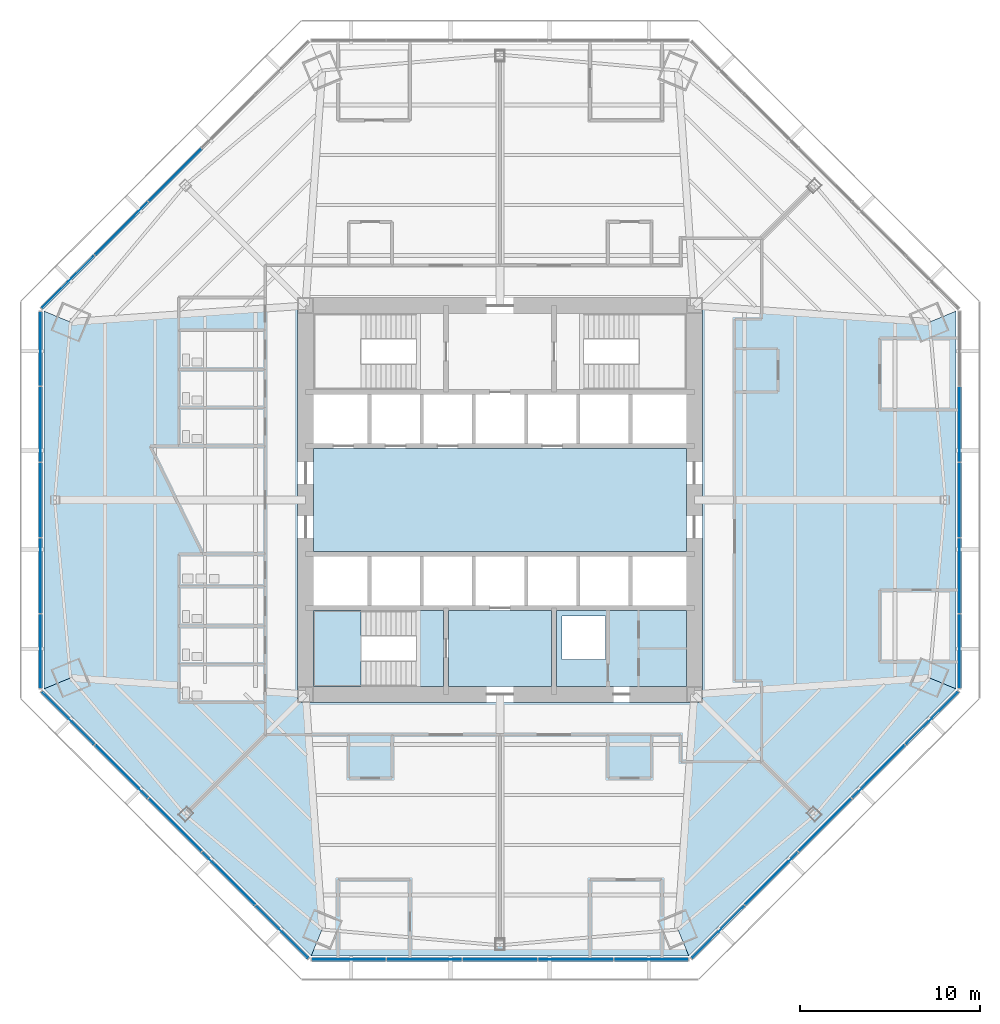
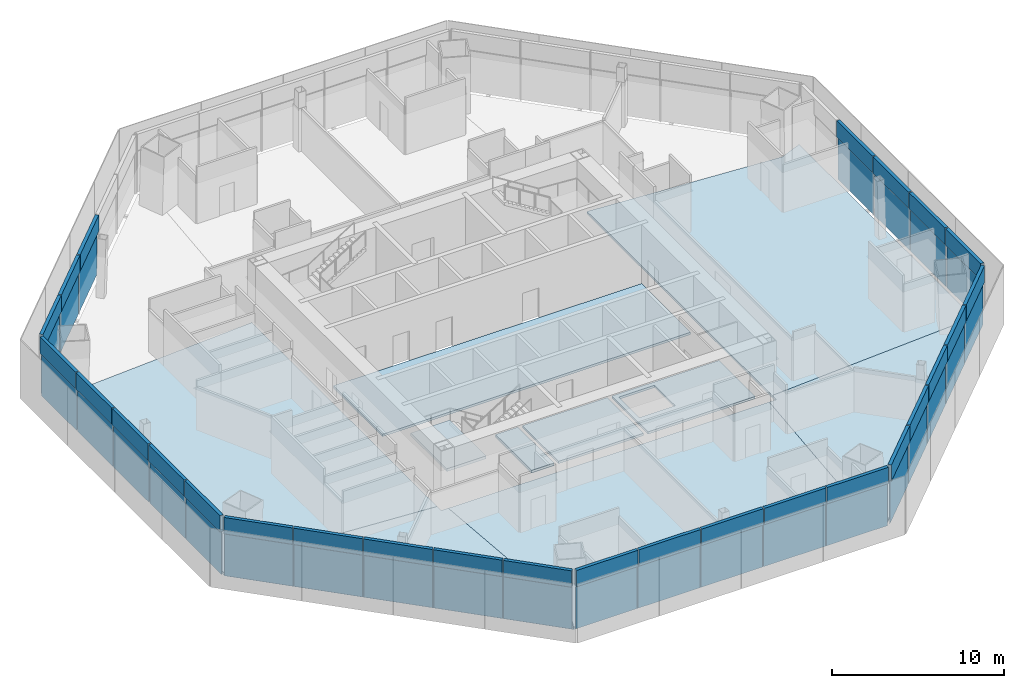
# One storey, part 8 of 17: 54 plates, 10 slabs, 7 elements without a shape of their own.
"""IFC4 building model written with IfcOpenShell, lengths in metres."""

from ifc_helpers import new_model, si_unit, direction, frame, origin, origin_2d, place, context, subcontext, project, spatial, polyline, rectangle, outline, extrude, source, transform, mapped, material, layer, layer_set, type_object, type_shapes, element, aggregate, save


model = new_model("IFC4")

# Units and contexts
model_context = context("Model", 3, precision=1e-05, world=origin(), true_north=direction((0.0, 1.0)))
body_context = subcontext(model_context, "Body", "Model", "MODEL_VIEW")
ifc_project = project(units=[si_unit("LENGTHUNIT", "METRE"), si_unit("AREAUNIT", "SQUARE_METRE"), si_unit("VOLUMEUNIT", "CUBIC_METRE"), si_unit("PLANEANGLEUNIT", "RADIAN"), si_unit("MASSUNIT", "GRAM", prefix="KILO")], contexts=[model_context])

# Site, building, storey
site_placement = place(None, origin())
site = spatial("IfcSite", under=ifc_project, at=site_placement, CompositionType="ELEMENT")
building_placement = place(site_placement, origin())
building = spatial("IfcBuilding", under=site, at=building_placement, Name="Mashrafa Tower", CompositionType="ELEMENT")
storey_placement = place(building_placement, frame((0.0, 0.0, 87.60009765625)))
storey = spatial("IfcBuildingStorey", under=building, at=storey_placement, Name="L19", CompositionType="ELEMENT", Elevation=87.60009765625)

# Slabs
ifc_material_1 = material(Name="Concrete C35/45", Category="concrete")
ifc_layer_1 = layer(ifc_material_1, 0.1650390625)
ifc_layer_set_1 = layer_set([ifc_layer_1], Name="Floor slab 165")
slab_type_1 = type_object("IfcSlabType", Name="Floor slab 165", PredefinedType="FLOOR", material=ifc_layer_set_1)
slab_1_placement = place(storey_placement, frame((0.0, 0.0, -0.1650390625)))
element("IfcSlab", 1, at=slab_1_placement, inside=storey, type_object=slab_type_1, Name="Floor slab L19 east bay", PredefinedType="FLOOR", context=body_context, shape_type="SweptSolid", body=[
    extrude(outline(polyline([(25.336669921875, -10.494873046875), (23.863037109375, -9.884521484375), (11.25, -10.7685546875), (11.25, 10.7685546875), (23.863037109375, 9.884521484375), (25.336669921875, 10.494873046875), (25.336669921875, -10.494873046875)])), origin(), (0.0, 0.0, 1.0), 0.1650390625),
])
slab_2_placement = place(storey_placement, frame((0.0, 0.0, -0.1650390625)))
element("IfcSlab", 2, at=slab_2_placement, inside=storey, type_object=slab_type_1, Name="Floor slab L19 west bay", PredefinedType="FLOOR", context=body_context, shape_type="SweptSolid", body=[
    extrude(outline(polyline([(-25.336669921875, 10.494873046875), (-23.863037109375, 9.884521484375), (-11.25, 10.7685546875), (-11.25, -10.7685546875), (-23.863037109375, -9.884521484375), (-25.336669921875, -10.494873046875), (-25.336669921875, 10.494873046875)])), origin(), (0.0, 0.0, 1.0), 0.1650390625),
])
slab_3_placement = place(storey_placement, frame((0.0, 0.0, -0.1650390625)))
element("IfcSlab", 3, at=slab_3_placement, inside=storey, type_object=slab_type_1, Name="Floor slab L19 south-west bay", PredefinedType="FLOOR", context=body_context, shape_type="SweptSolid", body=[
    extrude(outline(polyline([(-10.494873046875, -25.336669921875), (-25.336669921875, -10.494873046875), (-25.336669921875, -10.494873046875), (-23.863037109375, -9.884521484375), (-11.25, -10.7685546875), (-11.25, -11.25), (-10.7685546875, -11.25), (-9.884521484375, -23.863037109375), (-10.494873046875, -25.336669921875), (-10.494873046875, -25.336669921875)])), origin(), (0.0, 0.0, 1.0), 0.1650390625),
])
slab_4_placement = place(storey_placement, frame((0.0, 0.0, -0.1650390625)))
element("IfcSlab", 4, at=slab_4_placement, inside=storey, type_object=slab_type_1, Name="Floor slab L19 south bay", PredefinedType="FLOOR", context=body_context, shape_type="SweptSolid", body=[
    extrude(outline(polyline([(-10.494873046875, -25.336669921875), (-9.884521484375, -23.863037109375), (-10.7685546875, -11.25), (10.7685546875, -11.25), (9.884521484375, -23.863037109375), (10.494873046875, -25.336669921875), (-10.494873046875, -25.336669921875)])), origin(), (0.0, 0.0, 1.0), 0.1650390625),
])
slab_5_placement = place(storey_placement, frame((0.0, 0.0, -0.1650390625)))
element("IfcSlab", 5, at=slab_5_placement, inside=storey, type_object=slab_type_1, Name="Floor slab L19 south-east bay", PredefinedType="FLOOR", context=body_context, shape_type="SweptSolid", body=[
    extrude(outline(polyline([(10.494873046875, -25.336669921875), (9.884521484375, -23.863037109375), (10.7685546875, -11.25), (11.25, -11.25), (11.25, -10.7685546875), (23.863037109375, -9.884521484375), (25.336669921875, -10.494873046875), (25.336669921875, -10.494873046875), (10.494873046875, -25.336669921875), (10.494873046875, -25.336669921875)])), origin(), (0.0, 0.0, 1.0), 0.1650390625),
])
slab_6_placement = place(storey_placement, frame((0.0, 0.0, -0.1650390625)))
element("IfcSlab", 6, at=slab_6_placement, inside=storey, type_object=slab_type_1, Name="Core floor lift hall L19", PredefinedType="FLOOR", context=body_context, shape_type="SweptSolid", body=[
    extrude(outline(polyline([(-10.35009765625, 2.85009765625), (10.35009765625, 2.85009765625), (10.35009765625, -2.85009765625), (-10.35009765625, -2.85009765625), (-10.35009765625, 2.85009765625)])), origin(), (0.0, 0.0, 1.0), 0.1650390625),
])
slab_7_placement = place(storey_placement, frame((0.0, 0.0, -0.1650390625)))
element("IfcSlab", 7, at=slab_7_placement, inside=storey, type_object=slab_type_1, Name="Core floor riser and electrical band L19", PredefinedType="FLOOR", context=body_context, shape_type="SweptSolid", body=[
    extrude(outline(polyline([(10.35009765625, -6.14990234375), (10.35009765625, -10.35009765625), (3.14990234375, -10.35009765625), (3.14990234375, -6.14990234375), (10.35009765625, -6.14990234375)]), holes=[polyline([(3.449951171875, -8.85009765625), (5.85009765625, -8.85009765625), (5.85009765625, -6.449951171875), (3.449951171875, -6.449951171875), (3.449951171875, -8.85009765625)])]), origin(), (0.0, 0.0, 1.0), 0.1650390625),
])
slab_8_placement = place(storey_placement, frame((0.0, 0.0, -0.1650390625)))
element("IfcSlab", 8, at=slab_8_placement, inside=storey, type_object=slab_type_1, Name="Core floor fire-fighting lobby south L19", PredefinedType="FLOOR", context=body_context, shape_type="SweptSolid", body=[
    extrude(outline(polyline([(2.85009765625, -6.14990234375), (2.85009765625, -10.35009765625), (-2.85009765625, -10.35009765625), (-2.85009765625, -6.14990234375), (2.85009765625, -6.14990234375)])), origin(), (0.0, 0.0, 1.0), 0.1650390625),
])

# Stair, slabs
ifc_material_2 = material(Name="Exit stair 1400")
stair_type = type_object("IfcStairType", Name="Exit stair 1400", PredefinedType="HALF_TURN_STAIR", material=ifc_material_2)
stair_placement = place(storey_placement, origin())
stair = element("IfcStair", 9, at=stair_placement, inside=storey, type_object=stair_type, Name="Stair S3 L19", PredefinedType="HALF_TURN_STAIR")
ifc_material_3 = material(Name="Concrete C32/40", Category="concrete")
ifc_layer_2 = layer(ifc_material_3, 0.199951171875)
ifc_layer_set_2 = layer_set([ifc_layer_2], Name="Stair landing 200")
slab_type_2 = type_object("IfcSlabType", Name="Stair landing 200", PredefinedType="LANDING", material=ifc_layer_set_2)
slab_9_placement = place(storey_placement, frame((0.0, 0.0, -0.2001953125)))
slab_9 = element("IfcSlab", 10, at=slab_9_placement, type_object=slab_type_2, Name="S3 landing 1", PredefinedType="LANDING", context=body_context, shape_type="SweptSolid", body=[
    extrude(outline(polyline([(-4.659912109375, -10.35009765625), (-3.14990234375, -10.35009765625), (-3.14990234375, -6.14990234375), (-4.659912109375, -6.14990234375), (-4.659912109375, -10.35009765625)])), origin(), (0.0, 0.0, 1.0), 0.2001953125),
])
slab_10_placement = place(storey_placement, frame((0.0, 0.0, 1.89990234375)))
slab_10 = element("IfcSlab", 11, at=slab_10_placement, type_object=slab_type_2, Name="S3 landing 2", PredefinedType="LANDING", context=body_context, shape_type="SweptSolid", body=[
    extrude(outline(polyline([(-10.35009765625, -10.35009765625), (-7.719970703125, -10.35009765625), (-7.719970703125, -6.14990234375), (-10.35009765625, -6.14990234375), (-10.35009765625, -10.35009765625)])), origin(), (0.0, 0.0, 1.0), 0.199951171875),
])
aggregate(stair, [slab_9, slab_10])

# Curtain wall, plate
ifc_material_4 = material(Name="Unitised aluminium curtain wall", Category="aluminium")
curtain_wall_type = type_object("IfcCurtainWallType", Name="Office curtain wall, zone 1 CW-A 200 deep", PredefinedType="NOTDEFINED", material=ifc_material_4)
curtain_wall_1_placement = place(storey_placement, origin())
curtain_wall_1 = element("IfcCurtainWall", 12, at=curtain_wall_1_placement, inside=storey, type_object=curtain_wall_type, Name="Office curtain wall, zone 1 L19 east", PredefinedType="NOTDEFINED")
ifc_material_5 = material(Name="Insulated double glazing, low-e, neutral", Category="glass")
ifc_layer_3 = layer(ifc_material_5, 0.028076171875)
ifc_layer_set_3 = layer_set([ifc_layer_3], Name="Vision panel CW-A 28")
plate_type_1 = type_object("IfcPlateType", Name="Vision panel CW-A 28", PredefinedType="CURTAIN_PANEL", material=ifc_layer_set_3)
shared_shape_1 = source(origin(), body_context, "Body", "SweptSolid", [
    extrude(rectangle(XDim=4.113037109375, YDim=0.028076171875, at=origin_2d()), origin(), (0.0, 0.0, 1.0), 2.9599609375),
])
plate_1_placement = place(storey_placement, frame((25.53662109375, -8.40478515625, 0.0), z_axis=(0.0, 0.0, 1.0), x_axis=(0.0, 1.0, 0.0)))
plate_1 = element("IfcPlate", 13, at=plate_1_placement, type_object=plate_type_1, Name="CW-A vision panel 1", PredefinedType="CURTAIN_PANEL", context=body_context, shape_type="MappedRepresentation", body=[
    mapped(shared_shape_1, transform((0.0, 0.0, 0.0))),
])

curtain_wall_2_placement = place(storey_placement, origin())
curtain_wall_2 = element("IfcCurtainWall", 14, at=curtain_wall_2_placement, inside=storey, type_object=curtain_wall_type, Name="Office curtain wall, zone 1 L19 north-west", PredefinedType="NOTDEFINED")
plate_2_placement = place(storey_placement, frame((-24.000244140625, 12.114013671875, 0.0), z_axis=(0.0, 0.0, 1.0), x_axis=(-0.707106781187, -0.707106781187, 0.0)))
plate_2 = element("IfcPlate", 15, at=plate_2_placement, type_object=plate_type_1, Name="CW-A vision panel 5", PredefinedType="CURTAIN_PANEL", context=body_context, shape_type="MappedRepresentation", body=[
    mapped(shared_shape_1, transform((0.0, 0.0, 0.0))),
])

# Curtain wall, plates
curtain_wall_3_placement = place(storey_placement, origin())
curtain_wall_3 = element("IfcCurtainWall", 16, at=curtain_wall_3_placement, inside=storey, type_object=curtain_wall_type, Name="Office curtain wall, zone 1 L19 west", PredefinedType="NOTDEFINED")
plate_3_placement = place(storey_placement, frame((-25.53662109375, 8.40478515625, 0.0), z_axis=(0.0, 0.0, 1.0), x_axis=(0.0, -1.0, 0.0)))
plate_3 = element("IfcPlate", 17, at=plate_3_placement, type_object=plate_type_1, Name="CW-A vision panel 1", PredefinedType="CURTAIN_PANEL", context=body_context, shape_type="MappedRepresentation", body=[
    mapped(shared_shape_1, transform((0.0, 0.0, 0.0))),
])
plate_4_placement = place(storey_placement, frame((-25.53662109375, -8.40478515625, 0.0), z_axis=(0.0, 0.0, 1.0), x_axis=(0.0, -1.0, 0.0)))
plate_4 = element("IfcPlate", 18, at=plate_4_placement, type_object=plate_type_1, Name="CW-A vision panel 5", PredefinedType="CURTAIN_PANEL", context=body_context, shape_type="MappedRepresentation", body=[
    mapped(shared_shape_1, transform((0.0, 0.0, 0.0))),
])

curtain_wall_4_placement = place(storey_placement, origin())
curtain_wall_4 = element("IfcCurtainWall", 19, at=curtain_wall_4_placement, inside=storey, type_object=curtain_wall_type, Name="Office curtain wall, zone 1 L19 south-west", PredefinedType="NOTDEFINED")
plate_5_placement = place(storey_placement, frame((-24.000244140625, -12.114013671875, 0.0), z_axis=(0.0, 0.0, 1.0), x_axis=(0.707106781187, -0.707106781187, 0.0)))
plate_5 = element("IfcPlate", 20, at=plate_5_placement, type_object=plate_type_1, Name="CW-A vision panel 1", PredefinedType="CURTAIN_PANEL", context=body_context, shape_type="MappedRepresentation", body=[
    mapped(shared_shape_1, transform((0.0, 0.0, 0.0))),
])
plate_6_placement = place(storey_placement, frame((-12.114013671875, -24.000244140625, 0.0), z_axis=(0.0, 0.0, 1.0), x_axis=(0.707106781187, -0.707106781187, 0.0)))
plate_6 = element("IfcPlate", 21, at=plate_6_placement, type_object=plate_type_1, Name="CW-A vision panel 5", PredefinedType="CURTAIN_PANEL", context=body_context, shape_type="MappedRepresentation", body=[
    mapped(shared_shape_1, transform((0.0, 0.0, 0.0))),
])

curtain_wall_5_placement = place(storey_placement, origin())
curtain_wall_5 = element("IfcCurtainWall", 22, at=curtain_wall_5_placement, inside=storey, type_object=curtain_wall_type, Name="Office curtain wall, zone 1 L19 south", PredefinedType="NOTDEFINED")
plate_7_placement = place(storey_placement, frame((-8.40478515625, -25.53662109375, 0.0), z_axis=(0.0, 0.0, 1.0), x_axis=(1.0, 0.0, 0.0)))
plate_7 = element("IfcPlate", 23, at=plate_7_placement, type_object=plate_type_1, Name="CW-A vision panel 1", PredefinedType="CURTAIN_PANEL", context=body_context, shape_type="MappedRepresentation", body=[
    mapped(shared_shape_1, transform((0.0, 0.0, 0.0))),
])
plate_8_placement = place(storey_placement, frame((8.40478515625, -25.53662109375, 0.0), z_axis=(0.0, 0.0, 1.0), x_axis=(1.0, 0.0, 0.0)))
plate_8 = element("IfcPlate", 24, at=plate_8_placement, type_object=plate_type_1, Name="CW-A vision panel 5", PredefinedType="CURTAIN_PANEL", context=body_context, shape_type="MappedRepresentation", body=[
    mapped(shared_shape_1, transform((0.0, 0.0, 0.0))),
])

curtain_wall_6_placement = place(storey_placement, origin())
curtain_wall_6 = element("IfcCurtainWall", 25, at=curtain_wall_6_placement, inside=storey, type_object=curtain_wall_type, Name="Office curtain wall, zone 1 L19 south-east", PredefinedType="NOTDEFINED")
plate_9_placement = place(storey_placement, frame((12.114013671875, -24.000244140625, 0.0), z_axis=(0.0, 0.0, 1.0), x_axis=(0.707106781187, 0.707106781187, 0.0)))
plate_9 = element("IfcPlate", 26, at=plate_9_placement, type_object=plate_type_1, Name="CW-A vision panel 1", PredefinedType="CURTAIN_PANEL", context=body_context, shape_type="MappedRepresentation", body=[
    mapped(shared_shape_1, transform((0.0, 0.0, 0.0))),
])
plate_10_placement = place(storey_placement, frame((24.000244140625, -12.114013671875, 0.0), z_axis=(0.0, 0.0, 1.0), x_axis=(0.707106781187, 0.707106781187, 0.0)))
plate_10 = element("IfcPlate", 27, at=plate_10_placement, type_object=plate_type_1, Name="CW-A vision panel 5", PredefinedType="CURTAIN_PANEL", context=body_context, shape_type="MappedRepresentation", body=[
    mapped(shared_shape_1, transform((0.0, 0.0, 0.0))),
])

# Plate
ifc_material_6 = material(Name="Insulated aluminium spandrel panel", Category="aluminium")
ifc_layer_4 = layer(ifc_material_6, 0.219970703125)
ifc_layer_set_4 = layer_set([ifc_layer_4], Name="Spandrel panel CW-A 220")
plate_type_2 = type_object("IfcPlateType", Name="Spandrel panel CW-A 220", PredefinedType="CURTAIN_PANEL", material=ifc_layer_set_4)
shared_shape_2 = source(origin(), body_context, "Body", "SweptSolid", [
    extrude(rectangle(XDim=4.113037109375, YDim=0.219970703125, at=origin_2d()), origin(), (0.0, 0.0, 1.0), 1.159912109375),
])
plate_11_placement = place(storey_placement, frame((25.53662109375, -8.40478515625, 3.0400390625), z_axis=(0.0, 0.0, 1.0), x_axis=(0.0, 1.0, 0.0)))
plate_11 = element("IfcPlate", 28, at=plate_11_placement, type_object=plate_type_2, Name="CW-A spandrel panel 1", PredefinedType="CURTAIN_PANEL", context=body_context, shape_type="MappedRepresentation", body=[
    mapped(shared_shape_2, transform((0.0, 0.0, 0.0))),
])

plate_12_placement = place(storey_placement, frame((-24.000244140625, 12.114013671875, 3.0400390625), z_axis=(0.0, 0.0, 1.0), x_axis=(-0.707106781187, -0.707106781187, 0.0)))
plate_12 = element("IfcPlate", 29, at=plate_12_placement, type_object=plate_type_2, Name="CW-A spandrel panel 5", PredefinedType="CURTAIN_PANEL", context=body_context, shape_type="MappedRepresentation", body=[
    mapped(shared_shape_2, transform((0.0, 0.0, 0.0))),
])

plate_13_placement = place(storey_placement, frame((-25.53662109375, 8.40478515625, 3.0400390625), z_axis=(0.0, 0.0, 1.0), x_axis=(0.0, -1.0, 0.0)))
plate_13 = element("IfcPlate", 30, at=plate_13_placement, type_object=plate_type_2, Name="CW-A spandrel panel 1", PredefinedType="CURTAIN_PANEL", context=body_context, shape_type="MappedRepresentation", body=[
    mapped(shared_shape_2, transform((0.0, 0.0, 0.0))),
])

plate_14_placement = place(storey_placement, frame((-25.53662109375, -8.40478515625, 3.0400390625), z_axis=(0.0, 0.0, 1.0), x_axis=(0.0, -1.0, 0.0)))
plate_14 = element("IfcPlate", 31, at=plate_14_placement, type_object=plate_type_2, Name="CW-A spandrel panel 5", PredefinedType="CURTAIN_PANEL", context=body_context, shape_type="MappedRepresentation", body=[
    mapped(shared_shape_2, transform((0.0, 0.0, 0.0))),
])

plate_15_placement = place(storey_placement, frame((-24.000244140625, -12.114013671875, 3.0400390625), z_axis=(0.0, 0.0, 1.0), x_axis=(0.707106781187, -0.707106781187, 0.0)))
plate_15 = element("IfcPlate", 32, at=plate_15_placement, type_object=plate_type_2, Name="CW-A spandrel panel 1", PredefinedType="CURTAIN_PANEL", context=body_context, shape_type="MappedRepresentation", body=[
    mapped(shared_shape_2, transform((0.0, 0.0, 0.0))),
])

plate_16_placement = place(storey_placement, frame((-12.114013671875, -24.000244140625, 3.0400390625), z_axis=(0.0, 0.0, 1.0), x_axis=(0.707106781187, -0.707106781187, 0.0)))
plate_16 = element("IfcPlate", 33, at=plate_16_placement, type_object=plate_type_2, Name="CW-A spandrel panel 5", PredefinedType="CURTAIN_PANEL", context=body_context, shape_type="MappedRepresentation", body=[
    mapped(shared_shape_2, transform((0.0, 0.0, 0.0))),
])

plate_17_placement = place(storey_placement, frame((-8.40478515625, -25.53662109375, 3.0400390625), z_axis=(0.0, 0.0, 1.0), x_axis=(1.0, 0.0, 0.0)))
plate_17 = element("IfcPlate", 34, at=plate_17_placement, type_object=plate_type_2, Name="CW-A spandrel panel 1", PredefinedType="CURTAIN_PANEL", context=body_context, shape_type="MappedRepresentation", body=[
    mapped(shared_shape_2, transform((0.0, 0.0, 0.0))),
])

plate_18_placement = place(storey_placement, frame((8.40478515625, -25.53662109375, 3.0400390625), z_axis=(0.0, 0.0, 1.0), x_axis=(1.0, 0.0, 0.0)))
plate_18 = element("IfcPlate", 35, at=plate_18_placement, type_object=plate_type_2, Name="CW-A spandrel panel 5", PredefinedType="CURTAIN_PANEL", context=body_context, shape_type="MappedRepresentation", body=[
    mapped(shared_shape_2, transform((0.0, 0.0, 0.0))),
])

plate_19_placement = place(storey_placement, frame((12.114013671875, -24.000244140625, 3.0400390625), z_axis=(0.0, 0.0, 1.0), x_axis=(0.707106781187, 0.707106781187, 0.0)))
plate_19 = element("IfcPlate", 36, at=plate_19_placement, type_object=plate_type_2, Name="CW-A spandrel panel 1", PredefinedType="CURTAIN_PANEL", context=body_context, shape_type="MappedRepresentation", body=[
    mapped(shared_shape_2, transform((0.0, 0.0, 0.0))),
])

plate_20_placement = place(storey_placement, frame((24.000244140625, -12.114013671875, 3.0400390625), z_axis=(0.0, 0.0, 1.0), x_axis=(0.707106781187, 0.707106781187, 0.0)))
plate_20 = element("IfcPlate", 37, at=plate_20_placement, type_object=plate_type_2, Name="CW-A spandrel panel 5", PredefinedType="CURTAIN_PANEL", context=body_context, shape_type="MappedRepresentation", body=[
    mapped(shared_shape_2, transform((0.0, 0.0, 0.0))),
])

shared_shape_3 = source(origin(), body_context, "Body", "SweptSolid", [
    extrude(rectangle(XDim=4.1455078125, YDim=0.028076171875, at=origin_2d()), origin(), (0.0, 0.0, 1.0), 2.9599609375),
])
type_shapes(plate_type_1, [shared_shape_1, shared_shape_3])
plate_21_placement = place(storey_placement, frame((25.53662109375, -4.21044921875, 0.0), z_axis=(0.0, 0.0, 1.0), x_axis=(0.0, 1.0, 0.0)))
plate_21 = element("IfcPlate", 38, at=plate_21_placement, type_object=plate_type_1, Name="CW-A vision panel 2", PredefinedType="CURTAIN_PANEL", context=body_context, shape_type="MappedRepresentation", body=[
    mapped(shared_shape_3, transform((0.0, 0.0, 0.0))),
])

plate_22_placement = place(storey_placement, frame((25.53662109375, 0.0, 0.0), z_axis=(0.0, 0.0, 1.0), x_axis=(0.0, 1.0, 0.0)))
plate_22 = element("IfcPlate", 39, at=plate_22_placement, type_object=plate_type_1, Name="CW-A vision panel 3", PredefinedType="CURTAIN_PANEL", context=body_context, shape_type="MappedRepresentation", body=[
    mapped(shared_shape_3, transform((0.0, 0.0, 0.0))),
])

plate_23_placement = place(storey_placement, frame((25.53662109375, 4.21044921875, 0.0), z_axis=(0.0, 0.0, 1.0), x_axis=(0.0, 1.0, 0.0)))
plate_23 = element("IfcPlate", 40, at=plate_23_placement, type_object=plate_type_1, Name="CW-A vision panel 4", PredefinedType="CURTAIN_PANEL", context=body_context, shape_type="MappedRepresentation", body=[
    mapped(shared_shape_3, transform((0.0, 0.0, 0.0))),
])

plate_24_placement = place(storey_placement, frame((-18.05712890625, 18.05712890625, 0.0), z_axis=(0.0, 0.0, 1.0), x_axis=(-0.707106781187, -0.707106781187, 0.0)))
plate_24 = element("IfcPlate", 41, at=plate_24_placement, type_object=plate_type_1, Name="CW-A vision panel 3", PredefinedType="CURTAIN_PANEL", context=body_context, shape_type="MappedRepresentation", body=[
    mapped(shared_shape_3, transform((0.0, 0.0, 0.0))),
])

plate_25_placement = place(storey_placement, frame((-21.034423828125, 15.079833984375, 0.0), z_axis=(0.0, 0.0, 1.0), x_axis=(-0.707106781187, -0.707106781187, 0.0)))
plate_25 = element("IfcPlate", 42, at=plate_25_placement, type_object=plate_type_1, Name="CW-A vision panel 4", PredefinedType="CURTAIN_PANEL", context=body_context, shape_type="MappedRepresentation", body=[
    mapped(shared_shape_3, transform((0.0, 0.0, 0.0))),
])

plate_26_placement = place(storey_placement, frame((-25.53662109375, 4.21044921875, 0.0), z_axis=(0.0, 0.0, 1.0), x_axis=(0.0, -1.0, 0.0)))
plate_26 = element("IfcPlate", 43, at=plate_26_placement, type_object=plate_type_1, Name="CW-A vision panel 2", PredefinedType="CURTAIN_PANEL", context=body_context, shape_type="MappedRepresentation", body=[
    mapped(shared_shape_3, transform((0.0, 0.0, 0.0))),
])

plate_27_placement = place(storey_placement, frame((-25.53662109375, 0.0, 0.0), z_axis=(0.0, 0.0, 1.0), x_axis=(0.0, -1.0, 0.0)))
plate_27 = element("IfcPlate", 44, at=plate_27_placement, type_object=plate_type_1, Name="CW-A vision panel 3", PredefinedType="CURTAIN_PANEL", context=body_context, shape_type="MappedRepresentation", body=[
    mapped(shared_shape_3, transform((0.0, 0.0, 0.0))),
])

plate_28_placement = place(storey_placement, frame((-25.53662109375, -4.21044921875, 0.0), z_axis=(0.0, 0.0, 1.0), x_axis=(0.0, -1.0, 0.0)))
plate_28 = element("IfcPlate", 45, at=plate_28_placement, type_object=plate_type_1, Name="CW-A vision panel 4", PredefinedType="CURTAIN_PANEL", context=body_context, shape_type="MappedRepresentation", body=[
    mapped(shared_shape_3, transform((0.0, 0.0, 0.0))),
])

plate_29_placement = place(storey_placement, frame((-21.034423828125, -15.079833984375, 0.0), z_axis=(0.0, 0.0, 1.0), x_axis=(0.707106781187, -0.707106781187, 0.0)))
plate_29 = element("IfcPlate", 46, at=plate_29_placement, type_object=plate_type_1, Name="CW-A vision panel 2", PredefinedType="CURTAIN_PANEL", context=body_context, shape_type="MappedRepresentation", body=[
    mapped(shared_shape_3, transform((0.0, 0.0, 0.0))),
])

plate_30_placement = place(storey_placement, frame((-18.05712890625, -18.05712890625, 0.0), z_axis=(0.0, 0.0, 1.0), x_axis=(0.707106781187, -0.707106781187, 0.0)))
plate_30 = element("IfcPlate", 47, at=plate_30_placement, type_object=plate_type_1, Name="CW-A vision panel 3", PredefinedType="CURTAIN_PANEL", context=body_context, shape_type="MappedRepresentation", body=[
    mapped(shared_shape_3, transform((0.0, 0.0, 0.0))),
])

plate_31_placement = place(storey_placement, frame((-15.079833984375, -21.034423828125, 0.0), z_axis=(0.0, 0.0, 1.0), x_axis=(0.707106781187, -0.707106781187, 0.0)))
plate_31 = element("IfcPlate", 48, at=plate_31_placement, type_object=plate_type_1, Name="CW-A vision panel 4", PredefinedType="CURTAIN_PANEL", context=body_context, shape_type="MappedRepresentation", body=[
    mapped(shared_shape_3, transform((0.0, 0.0, 0.0))),
])

plate_32_placement = place(storey_placement, frame((-4.21044921875, -25.53662109375, 0.0), z_axis=(0.0, 0.0, 1.0), x_axis=(1.0, 0.0, 0.0)))
plate_32 = element("IfcPlate", 49, at=plate_32_placement, type_object=plate_type_1, Name="CW-A vision panel 2", PredefinedType="CURTAIN_PANEL", context=body_context, shape_type="MappedRepresentation", body=[
    mapped(shared_shape_3, transform((0.0, 0.0, 0.0))),
])

plate_33_placement = place(storey_placement, frame((0.0, -25.53662109375, 0.0), z_axis=(0.0, 0.0, 1.0), x_axis=(1.0, 0.0, 0.0)))
plate_33 = element("IfcPlate", 50, at=plate_33_placement, type_object=plate_type_1, Name="CW-A vision panel 3", PredefinedType="CURTAIN_PANEL", context=body_context, shape_type="MappedRepresentation", body=[
    mapped(shared_shape_3, transform((0.0, 0.0, 0.0))),
])

plate_34_placement = place(storey_placement, frame((4.21044921875, -25.53662109375, 0.0), z_axis=(0.0, 0.0, 1.0), x_axis=(1.0, 0.0, 0.0)))
plate_34 = element("IfcPlate", 51, at=plate_34_placement, type_object=plate_type_1, Name="CW-A vision panel 4", PredefinedType="CURTAIN_PANEL", context=body_context, shape_type="MappedRepresentation", body=[
    mapped(shared_shape_3, transform((0.0, 0.0, 0.0))),
])

plate_35_placement = place(storey_placement, frame((15.079833984375, -21.034423828125, 0.0), z_axis=(0.0, 0.0, 1.0), x_axis=(0.707106781187, 0.707106781187, 0.0)))
plate_35 = element("IfcPlate", 52, at=plate_35_placement, type_object=plate_type_1, Name="CW-A vision panel 2", PredefinedType="CURTAIN_PANEL", context=body_context, shape_type="MappedRepresentation", body=[
    mapped(shared_shape_3, transform((0.0, 0.0, 0.0))),
])

plate_36_placement = place(storey_placement, frame((18.05712890625, -18.05712890625, 0.0), z_axis=(0.0, 0.0, 1.0), x_axis=(0.707106781187, 0.707106781187, 0.0)))
plate_36 = element("IfcPlate", 53, at=plate_36_placement, type_object=plate_type_1, Name="CW-A vision panel 3", PredefinedType="CURTAIN_PANEL", context=body_context, shape_type="MappedRepresentation", body=[
    mapped(shared_shape_3, transform((0.0, 0.0, 0.0))),
])

plate_37_placement = place(storey_placement, frame((21.034423828125, -15.079833984375, 0.0), z_axis=(0.0, 0.0, 1.0), x_axis=(0.707106781187, 0.707106781187, 0.0)))
plate_37 = element("IfcPlate", 54, at=plate_37_placement, type_object=plate_type_1, Name="CW-A vision panel 4", PredefinedType="CURTAIN_PANEL", context=body_context, shape_type="MappedRepresentation", body=[
    mapped(shared_shape_3, transform((0.0, 0.0, 0.0))),
])

shared_shape_4 = source(origin(), body_context, "Body", "SweptSolid", [
    extrude(rectangle(XDim=4.1455078125, YDim=0.219970703125, at=origin_2d()), origin(), (0.0, 0.0, 1.0), 1.159912109375),
])
type_shapes(plate_type_2, [shared_shape_2, shared_shape_4])
plate_38_placement = place(storey_placement, frame((25.53662109375, -4.21044921875, 3.0400390625), z_axis=(0.0, 0.0, 1.0), x_axis=(0.0, 1.0, 0.0)))
plate_38 = element("IfcPlate", 55, at=plate_38_placement, type_object=plate_type_2, Name="CW-A spandrel panel 2", PredefinedType="CURTAIN_PANEL", context=body_context, shape_type="MappedRepresentation", body=[
    mapped(shared_shape_4, transform((0.0, 0.0, 0.0))),
])

plate_39_placement = place(storey_placement, frame((25.53662109375, 0.0, 3.0400390625), z_axis=(0.0, 0.0, 1.0), x_axis=(0.0, 1.0, 0.0)))
plate_39 = element("IfcPlate", 56, at=plate_39_placement, type_object=plate_type_2, Name="CW-A spandrel panel 3", PredefinedType="CURTAIN_PANEL", context=body_context, shape_type="MappedRepresentation", body=[
    mapped(shared_shape_4, transform((0.0, 0.0, 0.0))),
])

plate_40_placement = place(storey_placement, frame((25.53662109375, 4.21044921875, 3.0400390625), z_axis=(0.0, 0.0, 1.0), x_axis=(0.0, 1.0, 0.0)))
plate_40 = element("IfcPlate", 57, at=plate_40_placement, type_object=plate_type_2, Name="CW-A spandrel panel 4", PredefinedType="CURTAIN_PANEL", context=body_context, shape_type="MappedRepresentation", body=[
    mapped(shared_shape_4, transform((0.0, 0.0, 0.0))),
])

aggregate(curtain_wall_1, [plate_1, plate_11, plate_21, plate_38, plate_22, plate_39, plate_23, plate_40])

plate_41_placement = place(storey_placement, frame((-18.05712890625, 18.05712890625, 3.0400390625), z_axis=(0.0, 0.0, 1.0), x_axis=(-0.707106781187, -0.707106781187, 0.0)))
plate_41 = element("IfcPlate", 58, at=plate_41_placement, type_object=plate_type_2, Name="CW-A spandrel panel 3", PredefinedType="CURTAIN_PANEL", context=body_context, shape_type="MappedRepresentation", body=[
    mapped(shared_shape_4, transform((0.0, 0.0, 0.0))),
])

plate_42_placement = place(storey_placement, frame((-21.034423828125, 15.079833984375, 3.0400390625), z_axis=(0.0, 0.0, 1.0), x_axis=(-0.707106781187, -0.707106781187, 0.0)))
plate_42 = element("IfcPlate", 59, at=plate_42_placement, type_object=plate_type_2, Name="CW-A spandrel panel 4", PredefinedType="CURTAIN_PANEL", context=body_context, shape_type="MappedRepresentation", body=[
    mapped(shared_shape_4, transform((0.0, 0.0, 0.0))),
])

aggregate(curtain_wall_2, [plate_24, plate_41, plate_25, plate_42, plate_2, plate_12])

plate_43_placement = place(storey_placement, frame((-25.53662109375, 4.21044921875, 3.0400390625), z_axis=(0.0, 0.0, 1.0), x_axis=(0.0, -1.0, 0.0)))
plate_43 = element("IfcPlate", 60, at=plate_43_placement, type_object=plate_type_2, Name="CW-A spandrel panel 2", PredefinedType="CURTAIN_PANEL", context=body_context, shape_type="MappedRepresentation", body=[
    mapped(shared_shape_4, transform((0.0, 0.0, 0.0))),
])

plate_44_placement = place(storey_placement, frame((-25.53662109375, 0.0, 3.0400390625), z_axis=(0.0, 0.0, 1.0), x_axis=(0.0, -1.0, 0.0)))
plate_44 = element("IfcPlate", 61, at=plate_44_placement, type_object=plate_type_2, Name="CW-A spandrel panel 3", PredefinedType="CURTAIN_PANEL", context=body_context, shape_type="MappedRepresentation", body=[
    mapped(shared_shape_4, transform((0.0, 0.0, 0.0))),
])

plate_45_placement = place(storey_placement, frame((-25.53662109375, -4.21044921875, 3.0400390625), z_axis=(0.0, 0.0, 1.0), x_axis=(0.0, -1.0, 0.0)))
plate_45 = element("IfcPlate", 62, at=plate_45_placement, type_object=plate_type_2, Name="CW-A spandrel panel 4", PredefinedType="CURTAIN_PANEL", context=body_context, shape_type="MappedRepresentation", body=[
    mapped(shared_shape_4, transform((0.0, 0.0, 0.0))),
])

aggregate(curtain_wall_3, [plate_3, plate_13, plate_26, plate_43, plate_27, plate_44, plate_28, plate_45, plate_4, plate_14])

plate_46_placement = place(storey_placement, frame((-21.034423828125, -15.079833984375, 3.0400390625), z_axis=(0.0, 0.0, 1.0), x_axis=(0.707106781187, -0.707106781187, 0.0)))
plate_46 = element("IfcPlate", 63, at=plate_46_placement, type_object=plate_type_2, Name="CW-A spandrel panel 2", PredefinedType="CURTAIN_PANEL", context=body_context, shape_type="MappedRepresentation", body=[
    mapped(shared_shape_4, transform((0.0, 0.0, 0.0))),
])

plate_47_placement = place(storey_placement, frame((-18.05712890625, -18.05712890625, 3.0400390625), z_axis=(0.0, 0.0, 1.0), x_axis=(0.707106781187, -0.707106781187, 0.0)))
plate_47 = element("IfcPlate", 64, at=plate_47_placement, type_object=plate_type_2, Name="CW-A spandrel panel 3", PredefinedType="CURTAIN_PANEL", context=body_context, shape_type="MappedRepresentation", body=[
    mapped(shared_shape_4, transform((0.0, 0.0, 0.0))),
])

plate_48_placement = place(storey_placement, frame((-15.079833984375, -21.034423828125, 3.0400390625), z_axis=(0.0, 0.0, 1.0), x_axis=(0.707106781187, -0.707106781187, 0.0)))
plate_48 = element("IfcPlate", 65, at=plate_48_placement, type_object=plate_type_2, Name="CW-A spandrel panel 4", PredefinedType="CURTAIN_PANEL", context=body_context, shape_type="MappedRepresentation", body=[
    mapped(shared_shape_4, transform((0.0, 0.0, 0.0))),
])

aggregate(curtain_wall_4, [plate_5, plate_15, plate_29, plate_46, plate_30, plate_47, plate_31, plate_48, plate_6, plate_16])

plate_49_placement = place(storey_placement, frame((-4.21044921875, -25.53662109375, 3.0400390625), z_axis=(0.0, 0.0, 1.0), x_axis=(1.0, 0.0, 0.0)))
plate_49 = element("IfcPlate", 66, at=plate_49_placement, type_object=plate_type_2, Name="CW-A spandrel panel 2", PredefinedType="CURTAIN_PANEL", context=body_context, shape_type="MappedRepresentation", body=[
    mapped(shared_shape_4, transform((0.0, 0.0, 0.0))),
])

plate_50_placement = place(storey_placement, frame((0.0, -25.53662109375, 3.0400390625), z_axis=(0.0, 0.0, 1.0), x_axis=(1.0, 0.0, 0.0)))
plate_50 = element("IfcPlate", 67, at=plate_50_placement, type_object=plate_type_2, Name="CW-A spandrel panel 3", PredefinedType="CURTAIN_PANEL", context=body_context, shape_type="MappedRepresentation", body=[
    mapped(shared_shape_4, transform((0.0, 0.0, 0.0))),
])

plate_51_placement = place(storey_placement, frame((4.21044921875, -25.53662109375, 3.0400390625), z_axis=(0.0, 0.0, 1.0), x_axis=(1.0, 0.0, 0.0)))
plate_51 = element("IfcPlate", 68, at=plate_51_placement, type_object=plate_type_2, Name="CW-A spandrel panel 4", PredefinedType="CURTAIN_PANEL", context=body_context, shape_type="MappedRepresentation", body=[
    mapped(shared_shape_4, transform((0.0, 0.0, 0.0))),
])

aggregate(curtain_wall_5, [plate_7, plate_17, plate_32, plate_49, plate_33, plate_50, plate_34, plate_51, plate_8, plate_18])

plate_52_placement = place(storey_placement, frame((15.079833984375, -21.034423828125, 3.0400390625), z_axis=(0.0, 0.0, 1.0), x_axis=(0.707106781187, 0.707106781187, 0.0)))
plate_52 = element("IfcPlate", 69, at=plate_52_placement, type_object=plate_type_2, Name="CW-A spandrel panel 2", PredefinedType="CURTAIN_PANEL", context=body_context, shape_type="MappedRepresentation", body=[
    mapped(shared_shape_4, transform((0.0, 0.0, 0.0))),
])

plate_53_placement = place(storey_placement, frame((18.05712890625, -18.05712890625, 3.0400390625), z_axis=(0.0, 0.0, 1.0), x_axis=(0.707106781187, 0.707106781187, 0.0)))
plate_53 = element("IfcPlate", 70, at=plate_53_placement, type_object=plate_type_2, Name="CW-A spandrel panel 3", PredefinedType="CURTAIN_PANEL", context=body_context, shape_type="MappedRepresentation", body=[
    mapped(shared_shape_4, transform((0.0, 0.0, 0.0))),
])

plate_54_placement = place(storey_placement, frame((21.034423828125, -15.079833984375, 3.0400390625), z_axis=(0.0, 0.0, 1.0), x_axis=(0.707106781187, 0.707106781187, 0.0)))
plate_54 = element("IfcPlate", 71, at=plate_54_placement, type_object=plate_type_2, Name="CW-A spandrel panel 4", PredefinedType="CURTAIN_PANEL", context=body_context, shape_type="MappedRepresentation", body=[
    mapped(shared_shape_4, transform((0.0, 0.0, 0.0))),
])

aggregate(curtain_wall_6, [plate_9, plate_19, plate_35, plate_52, plate_36, plate_53, plate_37, plate_54, plate_10, plate_20])

save(model, "model.ifc")
